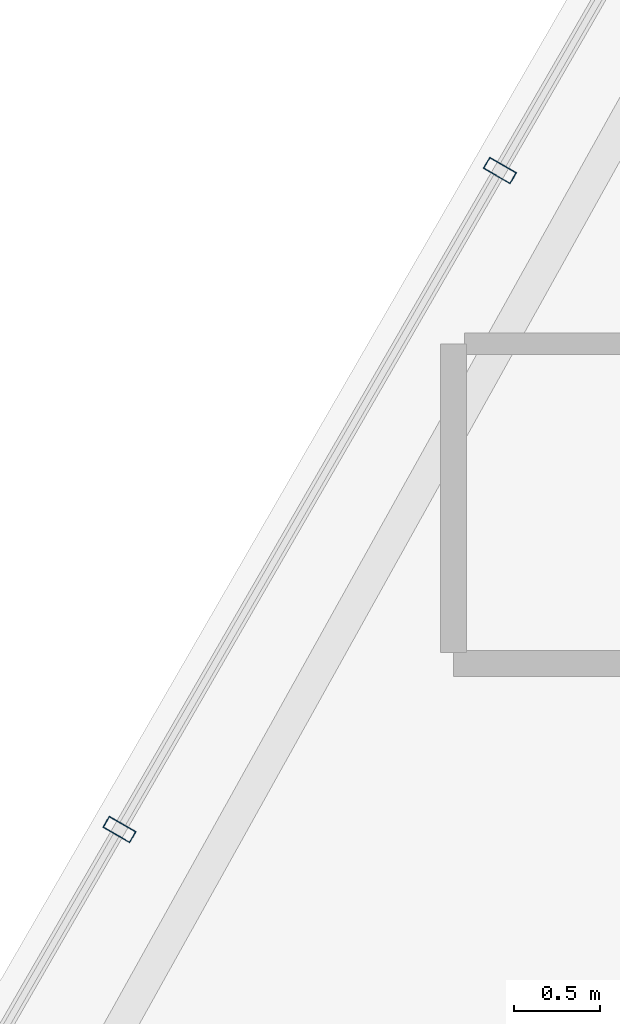
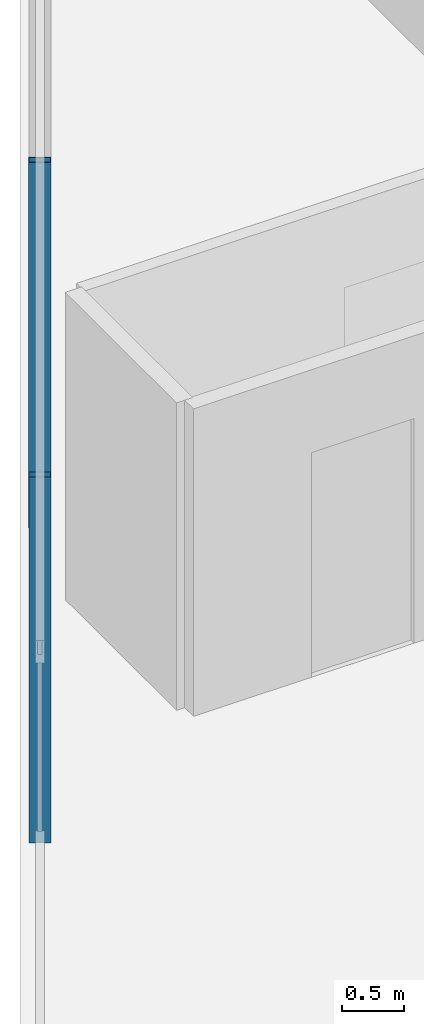
# One storey, part 5 of 32: 2 members, 1 element without a shape of its own.
"""IFC4 building model written with IfcOpenShell, lengths in metres."""

from ifc_helpers import new_model, si_unit, direction, frame, origin, origin_2d, place, context, subcontext, project, spatial, hollow_rectangle, extrude, material, layer, layer_set, material_profile, profile_set, type_object, element, aggregate, save


model = new_model("IFC4")

# Units and contexts
model_context = context("Model", 3, precision=1e-05, world=origin(), true_north=direction((0.0, 1.0)))
body_context = subcontext(model_context, "Body", "Model", "MODEL_VIEW")
ifc_project = project(units=[si_unit("LENGTHUNIT", "METRE"), si_unit("AREAUNIT", "SQUARE_METRE"), si_unit("VOLUMEUNIT", "CUBIC_METRE"), si_unit("PLANEANGLEUNIT", "RADIAN"), si_unit("MASSUNIT", "GRAM", prefix="KILO")], contexts=[model_context])

# Site, building, storey
site_placement = place(None, origin())
site = spatial("IfcSite", under=ifc_project, at=site_placement, CompositionType="ELEMENT")
building_placement = place(site_placement, origin())
building = spatial("IfcBuilding", under=site, at=building_placement, Name="Ndaravel Arena Tower", CompositionType="ELEMENT")
storey_placement = place(building_placement, frame((0.0, 0.0, 259.800048828125)))
storey = spatial("IfcBuildingStorey", under=building, at=storey_placement, Name="L63", CompositionType="ELEMENT", Elevation=259.800048828125)

# Curtain wall, members
ifc_material_1 = material(Name="Aluminium", Category="aluminium")
ifc_layer = layer(ifc_material_1, 0.179931640625)
ifc_layer_set = layer_set([ifc_layer], Name="Aluminium")
curtain_wall_type = type_object("IfcCurtainWallType", Name="CW-SYS-03", PredefinedType="NOTDEFINED", material=ifc_layer_set)
curtain_wall_placement = place(storey_placement, origin())
curtain_wall = element("IfcCurtainWall", 1, at=curtain_wall_placement, inside=storey, type_object=curtain_wall_type, Name="L63 Faceted Crystal Curtain Wall CW-L63-E05", PredefinedType="NOTDEFINED")
ifc_material_2 = material(Name="Aluminium", Category="aluminium")
ifc_material_profile = material_profile(ifc_material_2, hollow_rectangle(XDim=0.074951171875, YDim=0.179931640625, WallThickness=0.00390625, at=origin_2d()), Name="CW MULLION 75x180x4")
ifc_profile_set = profile_set([ifc_material_profile], Name="Aluminium")
member_type = type_object("IfcMemberType", Name="MEM-CW-MUL180", PredefinedType="MULLION", material=ifc_profile_set)
member_1_placement = place(storey_placement, frame((23.583984375, 18.001953125, 0.0), z_axis=(0.0, 0.0, 1.0), x_axis=(-0.5, -0.866025403784, 0.0)))
member_1 = element("IfcMember", 2, at=member_1_placement, type_object=member_type, Name="CW-L63-E05 Mullion 07", PredefinedType="MULLION", context=body_context, shape_type="SweptSolid", body=[
    extrude(hollow_rectangle(XDim=0.074951171875, YDim=0.179931640625, WallThickness=0.00390625, at=origin_2d()), origin(), (0.0, 0.0, 1.0), 3.579833984375),
])
member_2_placement = place(storey_placement, frame((21.3837890625, 14.19091796875, 0.0), z_axis=(0.0, 0.0, 1.0), x_axis=(-0.5, -0.866025403784, 0.0)))
member_2 = element("IfcMember", 3, at=member_2_placement, type_object=member_type, Name="CW-L63-E05 Mullion 08", PredefinedType="MULLION", context=body_context, shape_type="SweptSolid", body=[
    extrude(hollow_rectangle(XDim=0.074951171875, YDim=0.179931640625, WallThickness=0.00390625, at=origin_2d()), origin(), (0.0, 0.0, 1.0), 3.579833984375),
])
aggregate(curtain_wall, [member_1, member_2])

save(model, "model.ifc")
